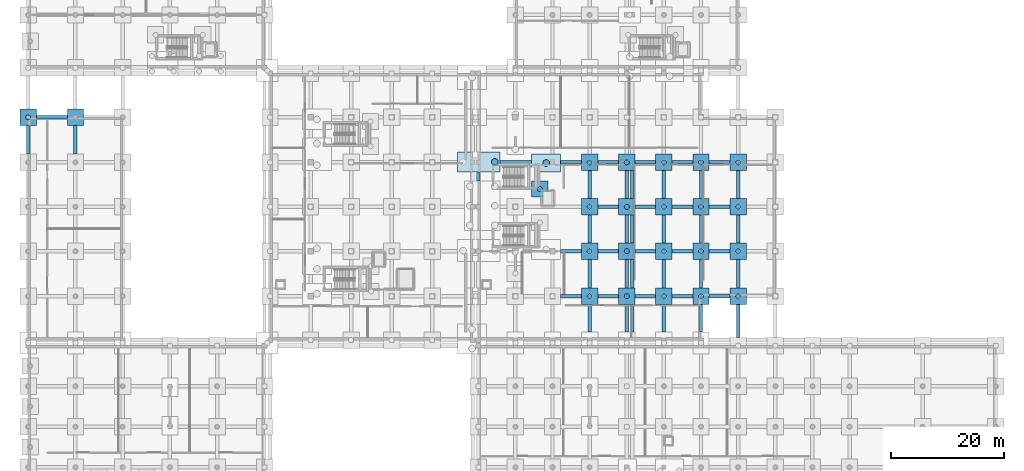
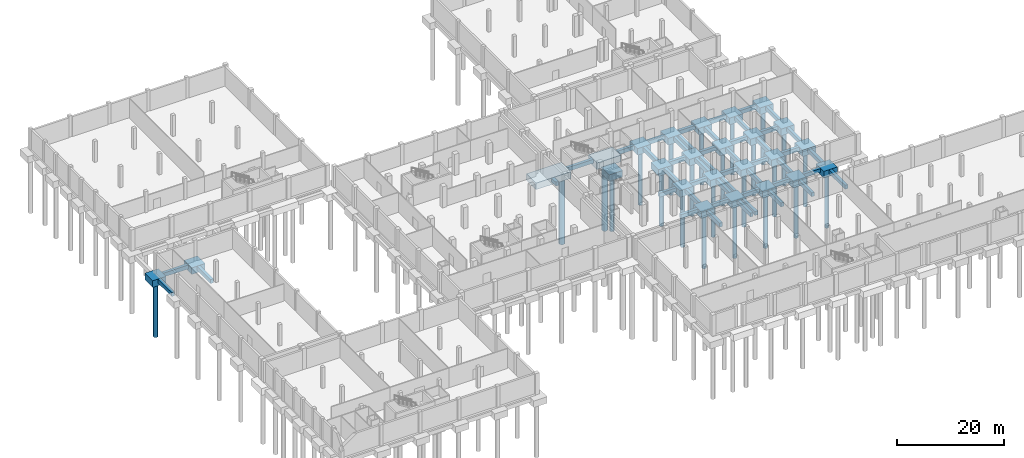
# One storey, part 6 of 29: 73 footings, 24 piles.
"""IFC4 building model written with IfcOpenShell, lengths in metres."""

from ifc_helpers import new_model, si_unit, direction, frame, origin, origin_2d, place, context, subcontext, project, spatial, polyline, rectangle, circle, outline, extrude, material, material_profile, profile_set, type_object, element, save


model = new_model("IFC4")

# Units and contexts
model_context = context("Model", 3, precision=1e-05, world=origin(), true_north=direction((0.0, 1.0)))
body_context = subcontext(model_context, "Body", "Model", "MODEL_VIEW")
ifc_project = project(units=[si_unit("LENGTHUNIT", "METRE"), si_unit("AREAUNIT", "SQUARE_METRE"), si_unit("VOLUMEUNIT", "CUBIC_METRE"), si_unit("PLANEANGLEUNIT", "RADIAN"), si_unit("MASSUNIT", "GRAM", prefix="KILO")], contexts=[model_context])

# Site, building, storey
site_placement = place(None, origin())
site = spatial("IfcSite", under=ifc_project, at=site_placement, CompositionType="ELEMENT")
building_placement = place(site_placement, origin())
building = spatial("IfcBuilding", under=site, at=building_placement, Name="Kelarvand Opera House", CompositionType="ELEMENT")
storey_placement = place(building_placement, frame((0.0, 0.0, -9.60009765625)))
storey = spatial("IfcBuildingStorey", under=building, at=storey_placement, Name="B2", CompositionType="ELEMENT", Elevation=-9.60009765625)

# Piles
ifc_material = material(Name="Concrete C40/50", Category="concrete")
ifc_material_profile_1 = material_profile(ifc_material, circle(Radius=0.60009765625, at=origin_2d()), Name="BP 1200", Category="concrete")
ifc_profile_set_1 = profile_set([ifc_material_profile_1], Name="Concrete C40/50")
pile_type_1 = type_object("IfcPileType", Name="Bored Pile 1200 Concrete C40/50", PredefinedType="BORED", material=ifc_profile_set_1)
for number, where, z_axis, x_axis, name in (
    (1, (91.949951171875, 70.47509765625, -1.7998046875), (0.0, 0.0, -1.0), (1.0, 0.0, 0.0), "V1 Bored Pile 178"),
    (2, (101.074951171875, 70.27490234375, -1.7998046875), (0.0, 0.0, -1.0), (1.0, 0.0, 0.0), "V1 Bored Pile 179"),
):
    element("IfcPile", number, at=place(storey_placement, frame(where, z_axis=z_axis, x_axis=x_axis)), inside=storey, type_object=pile_type_1, Name=name, PredefinedType="BORED", context=body_context, shape_type="SweptSolid", body=[
        extrude(circle(Radius=0.60009765625, at=origin_2d()), origin(), (0.0, 0.0, 1.0), 15.60009765625),
    ])
ifc_material_profile_2 = material_profile(ifc_material, circle(Radius=0.449951171875, at=origin_2d()), Name="BP 900", Category="concrete")
ifc_profile_set_2 = profile_set([ifc_material_profile_2], Name="Concrete C40/50")
pile_type_2 = type_object("IfcPileType", Name="Bored Pile 900 Concrete C40/50", PredefinedType="BORED", material=ifc_profile_set_2)
for number, where, z_axis, x_axis, name in (
    (3, (108.800048828125, 46.60009765625, -1.7998046875), (0.0, 0.0, -1.0), (1.0, 0.0, 0.0), "V1 Bored Pile 126"),
    (4, (115.39990234375, 46.60009765625, -1.7998046875), (0.0, 0.0, -1.0), (1.0, 0.0, 0.0), "V1 Bored Pile 127"),
    (5, (122.0, 46.60009765625, -1.7998046875), (0.0, 0.0, -1.0), (1.0, 0.0, 0.0), "V1 Bored Pile 128"),
    (6, (128.60009765625, 46.60009765625, -1.7998046875), (0.0, 0.0, -1.0), (1.0, 0.0, 0.0), "V1 Bored Pile 129"),
    (7, (135.199951171875, 46.60009765625, -1.7998046875), (0.0, 0.0, -1.0), (1.0, 0.0, 0.0), "V1 Bored Pile 130"),
    (8, (108.800048828125, 54.60009765625, -1.7998046875), (0.0, 0.0, -1.0), (1.0, 0.0, 0.0), "V1 Bored Pile 148"),
    (9, (115.39990234375, 54.60009765625, -1.7998046875), (0.0, 0.0, -1.0), (1.0, 0.0, 0.0), "V1 Bored Pile 149"),
    (10, (122.0, 54.60009765625, -1.7998046875), (0.0, 0.0, -1.0), (1.0, 0.0, 0.0), "V1 Bored Pile 150"),
    (11, (128.60009765625, 54.60009765625, -1.7998046875), (0.0, 0.0, -1.0), (1.0, 0.0, 0.0), "V1 Bored Pile 151"),
    (12, (135.199951171875, 54.60009765625, -1.7998046875), (0.0, 0.0, -1.0), (1.0, 0.0, 0.0), "V1 Bored Pile 152"),
    (13, (108.800048828125, 62.5, -1.7998046875), (0.0, 0.0, -1.0), (1.0, 0.0, 0.0), "V1 Bored Pile 170"),
    (14, (115.39990234375, 62.5, -1.7998046875), (0.0, 0.0, -1.0), (1.0, 0.0, 0.0), "V1 Bored Pile 171"),
    (15, (122.0, 62.5, -1.7998046875), (0.0, 0.0, -1.0), (1.0, 0.0, 0.0), "V1 Bored Pile 172"),
    (16, (128.60009765625, 62.5, -1.7998046875), (0.0, 0.0, -1.0), (1.0, 0.0, 0.0), "V1 Bored Pile 173"),
    (17, (135.199951171875, 62.5, -1.7998046875), (0.0, 0.0, -1.0), (1.0, 0.0, 0.0), "V1 Bored Pile 174"),
    (18, (99.949951171875, 65.64990234375, -1.7998046875), (0.0, 0.0, -1.0), (1.0, 0.0, 0.0), "V1 Bored Pile 176"),
    (19, (108.800048828125, 70.39990234375, -1.7998046875), (0.0, 0.0, -1.0), (1.0, 0.0, 0.0), "V1 Bored Pile 189"),
    (20, (115.39990234375, 70.39990234375, -1.7998046875), (0.0, 0.0, -1.0), (1.0, 0.0, 0.0), "V1 Bored Pile 190"),
    (21, (122.0, 70.39990234375, -1.7998046875), (0.0, 0.0, -1.0), (1.0, 0.0, 0.0), "V1 Bored Pile 191"),
    (22, (128.60009765625, 70.39990234375, -1.7998046875), (0.0, 0.0, -1.0), (1.0, 0.0, 0.0), "V1 Bored Pile 192"),
    (23, (135.199951171875, 70.39990234375, -1.7998046875), (0.0, 0.0, -1.0), (1.0, 0.0, 0.0), "V1 Bored Pile 193"),
    (24, (9.0, 78.39990234375, -1.7998046875), (0.0, 0.0, -1.0), (1.0, 0.0, 0.0), "V4 Bored Pile 200"),
):
    element("IfcPile", number, at=place(storey_placement, frame(where, z_axis=z_axis, x_axis=x_axis)), inside=storey, type_object=pile_type_2, Name=name, PredefinedType="BORED", context=body_context, shape_type="SweptSolid", body=[
        extrude(circle(Radius=0.449951171875, at=origin_2d()), origin(), (0.0, 0.0, 1.0), 12.60009765625),
    ])

# Footings
footing_type_1 = type_object("IfcFootingType", Name="Ground Tie Beam 600x900 Concrete C40/50", PredefinedType="FOOTING_BEAM", material=ifc_material)
footing_1_placement = place(storey_placement, frame((0.0, 0.0, -1.2998046875)))
element("IfcFooting", 25, at=footing_1_placement, inside=storey, type_object=footing_type_1, Name="Ground Beam 121", PredefinedType="FOOTING_BEAM", context=body_context, shape_type="SweptSolid", body=[
    extrude(outline(polyline([(103.64990234375, 46.300048828125), (107.35009765625, 46.300048828125), (107.35009765625, 46.89990234375), (103.64990234375, 46.89990234375), (103.64990234375, 46.300048828125)])), origin(), (0.0, 0.0, 1.0), 0.89990234375),
])
footing_2_placement = place(storey_placement, frame((0.0, 0.0, -1.2998046875)))
element("IfcFooting", 26, at=footing_2_placement, inside=storey, type_object=footing_type_1, Name="Ground Beam 122", PredefinedType="FOOTING_BEAM", context=body_context, shape_type="SweptSolid", body=[
    extrude(outline(polyline([(110.25, 46.300048828125), (113.949951171875, 46.300048828125), (113.949951171875, 46.89990234375), (110.25, 46.89990234375), (110.25, 46.300048828125)])), origin(), (0.0, 0.0, 1.0), 0.89990234375),
])
footing_3_placement = place(storey_placement, frame((0.0, 0.0, -1.2998046875)))
element("IfcFooting", 27, at=footing_3_placement, inside=storey, type_object=footing_type_1, Name="Ground Beam 123", PredefinedType="FOOTING_BEAM", context=body_context, shape_type="SweptSolid", body=[
    extrude(outline(polyline([(116.85009765625, 46.300048828125), (120.550048828125, 46.300048828125), (120.550048828125, 46.89990234375), (116.85009765625, 46.89990234375), (116.85009765625, 46.300048828125)])), origin(), (0.0, 0.0, 1.0), 0.89990234375),
])
footing_4_placement = place(storey_placement, frame((0.0, 0.0, -1.2998046875)))
element("IfcFooting", 28, at=footing_4_placement, inside=storey, type_object=footing_type_1, Name="Ground Beam 124", PredefinedType="FOOTING_BEAM", context=body_context, shape_type="SweptSolid", body=[
    extrude(outline(polyline([(123.449951171875, 46.300048828125), (127.14990234375, 46.300048828125), (127.14990234375, 46.89990234375), (123.449951171875, 46.89990234375), (123.449951171875, 46.300048828125)])), origin(), (0.0, 0.0, 1.0), 0.89990234375),
])
footing_5_placement = place(storey_placement, frame((0.0, 0.0, -1.2998046875)))
element("IfcFooting", 29, at=footing_5_placement, inside=storey, type_object=footing_type_1, Name="Ground Beam 125", PredefinedType="FOOTING_BEAM", context=body_context, shape_type="SweptSolid", body=[
    extrude(outline(polyline([(130.050048828125, 46.300048828125), (133.75, 46.300048828125), (133.75, 46.89990234375), (130.050048828125, 46.89990234375), (130.050048828125, 46.300048828125)])), origin(), (0.0, 0.0, 1.0), 0.89990234375),
])
footing_6_placement = place(storey_placement, frame((0.0, 0.0, -1.2998046875)))
element("IfcFooting", 30, at=footing_6_placement, inside=storey, type_object=footing_type_1, Name="Ground Beam 136", PredefinedType="FOOTING_BEAM", context=body_context, shape_type="SweptSolid", body=[
    extrude(outline(polyline([(103.64990234375, 54.300048828125), (107.35009765625, 54.300048828125), (107.35009765625, 54.89990234375), (103.64990234375, 54.89990234375), (103.64990234375, 54.300048828125)])), origin(), (0.0, 0.0, 1.0), 0.89990234375),
])
footing_7_placement = place(storey_placement, frame((0.0, 0.0, -1.2998046875)))
element("IfcFooting", 31, at=footing_7_placement, inside=storey, type_object=footing_type_1, Name="Ground Beam 137", PredefinedType="FOOTING_BEAM", context=body_context, shape_type="SweptSolid", body=[
    extrude(outline(polyline([(110.25, 54.300048828125), (113.949951171875, 54.300048828125), (113.949951171875, 54.89990234375), (110.25, 54.89990234375), (110.25, 54.300048828125)])), origin(), (0.0, 0.0, 1.0), 0.89990234375),
])
footing_8_placement = place(storey_placement, frame((0.0, 0.0, -1.2998046875)))
element("IfcFooting", 32, at=footing_8_placement, inside=storey, type_object=footing_type_1, Name="Ground Beam 138", PredefinedType="FOOTING_BEAM", context=body_context, shape_type="SweptSolid", body=[
    extrude(outline(polyline([(116.85009765625, 54.300048828125), (120.550048828125, 54.300048828125), (120.550048828125, 54.89990234375), (116.85009765625, 54.89990234375), (116.85009765625, 54.300048828125)])), origin(), (0.0, 0.0, 1.0), 0.89990234375),
])
footing_9_placement = place(storey_placement, frame((0.0, 0.0, -1.2998046875)))
element("IfcFooting", 33, at=footing_9_placement, inside=storey, type_object=footing_type_1, Name="Ground Beam 139", PredefinedType="FOOTING_BEAM", context=body_context, shape_type="SweptSolid", body=[
    extrude(outline(polyline([(123.449951171875, 54.300048828125), (127.14990234375, 54.300048828125), (127.14990234375, 54.89990234375), (123.449951171875, 54.89990234375), (123.449951171875, 54.300048828125)])), origin(), (0.0, 0.0, 1.0), 0.89990234375),
])
footing_10_placement = place(storey_placement, frame((0.0, 0.0, -1.2998046875)))
element("IfcFooting", 34, at=footing_10_placement, inside=storey, type_object=footing_type_1, Name="Ground Beam 140", PredefinedType="FOOTING_BEAM", context=body_context, shape_type="SweptSolid", body=[
    extrude(outline(polyline([(130.050048828125, 54.300048828125), (133.75, 54.300048828125), (133.75, 54.89990234375), (130.050048828125, 54.89990234375), (130.050048828125, 54.300048828125)])), origin(), (0.0, 0.0, 1.0), 0.89990234375),
])
footing_11_placement = place(storey_placement, frame((0.0, 0.0, -1.2998046875)))
element("IfcFooting", 35, at=footing_11_placement, inside=storey, type_object=footing_type_1, Name="Ground Beam 151", PredefinedType="FOOTING_BEAM", context=body_context, shape_type="SweptSolid", body=[
    extrude(outline(polyline([(110.25, 62.199951171875), (113.949951171875, 62.199951171875), (113.949951171875, 62.800048828125), (110.25, 62.800048828125), (110.25, 62.199951171875)])), origin(), (0.0, 0.0, 1.0), 0.89990234375),
])
footing_12_placement = place(storey_placement, frame((0.0, 0.0, -1.2998046875)))
element("IfcFooting", 36, at=footing_12_placement, inside=storey, type_object=footing_type_1, Name="Ground Beam 152", PredefinedType="FOOTING_BEAM", context=body_context, shape_type="SweptSolid", body=[
    extrude(outline(polyline([(116.85009765625, 62.199951171875), (120.550048828125, 62.199951171875), (120.550048828125, 62.800048828125), (116.85009765625, 62.800048828125), (116.85009765625, 62.199951171875)])), origin(), (0.0, 0.0, 1.0), 0.89990234375),
])
footing_13_placement = place(storey_placement, frame((0.0, 0.0, -1.2998046875)))
element("IfcFooting", 37, at=footing_13_placement, inside=storey, type_object=footing_type_1, Name="Ground Beam 153", PredefinedType="FOOTING_BEAM", context=body_context, shape_type="SweptSolid", body=[
    extrude(outline(polyline([(123.449951171875, 62.199951171875), (127.14990234375, 62.199951171875), (127.14990234375, 62.800048828125), (123.449951171875, 62.800048828125), (123.449951171875, 62.199951171875)])), origin(), (0.0, 0.0, 1.0), 0.89990234375),
])
footing_14_placement = place(storey_placement, frame((0.0, 0.0, -1.2998046875)))
element("IfcFooting", 38, at=footing_14_placement, inside=storey, type_object=footing_type_1, Name="Ground Beam 154", PredefinedType="FOOTING_BEAM", context=body_context, shape_type="SweptSolid", body=[
    extrude(outline(polyline([(130.050048828125, 62.199951171875), (133.75, 62.199951171875), (133.75, 62.800048828125), (130.050048828125, 62.800048828125), (130.050048828125, 62.199951171875)])), origin(), (0.0, 0.0, 1.0), 0.89990234375),
])
footing_15_placement = place(storey_placement, frame((0.0, 0.0, -1.2998046875)))
element("IfcFooting", 39, at=footing_15_placement, inside=storey, type_object=footing_type_1, Name="Ground Beam 163", PredefinedType="FOOTING_BEAM", context=body_context, shape_type="SweptSolid", body=[
    extrude(outline(polyline([(92.89990234375, 70.10009765625), (98.5, 70.10009765625), (98.5, 70.699951171875), (92.89990234375, 70.699951171875), (92.89990234375, 70.10009765625)])), origin(), (0.0, 0.0, 1.0), 0.89990234375),
])
footing_16_placement = place(storey_placement, frame((0.0, 0.0, -1.2998046875)))
element("IfcFooting", 40, at=footing_16_placement, inside=storey, type_object=footing_type_1, Name="Ground Beam 164", PredefinedType="FOOTING_BEAM", context=body_context, shape_type="SweptSolid", body=[
    extrude(outline(polyline([(103.64990234375, 70.10009765625), (107.35009765625, 70.10009765625), (107.35009765625, 70.699951171875), (103.64990234375, 70.699951171875), (103.64990234375, 70.10009765625)])), origin(), (0.0, 0.0, 1.0), 0.89990234375),
])
footing_17_placement = place(storey_placement, frame((0.0, 0.0, -1.2998046875)))
element("IfcFooting", 41, at=footing_17_placement, inside=storey, type_object=footing_type_1, Name="Ground Beam 165", PredefinedType="FOOTING_BEAM", context=body_context, shape_type="SweptSolid", body=[
    extrude(outline(polyline([(110.25, 70.10009765625), (113.949951171875, 70.10009765625), (113.949951171875, 70.699951171875), (110.25, 70.699951171875), (110.25, 70.10009765625)])), origin(), (0.0, 0.0, 1.0), 0.89990234375),
])
footing_18_placement = place(storey_placement, frame((0.0, 0.0, -1.2998046875)))
element("IfcFooting", 42, at=footing_18_placement, inside=storey, type_object=footing_type_1, Name="Ground Beam 166", PredefinedType="FOOTING_BEAM", context=body_context, shape_type="SweptSolid", body=[
    extrude(outline(polyline([(116.85009765625, 70.10009765625), (120.550048828125, 70.10009765625), (120.550048828125, 70.699951171875), (116.85009765625, 70.699951171875), (116.85009765625, 70.10009765625)])), origin(), (0.0, 0.0, 1.0), 0.89990234375),
])
footing_19_placement = place(storey_placement, frame((0.0, 0.0, -1.2998046875)))
element("IfcFooting", 43, at=footing_19_placement, inside=storey, type_object=footing_type_1, Name="Ground Beam 167", PredefinedType="FOOTING_BEAM", context=body_context, shape_type="SweptSolid", body=[
    extrude(outline(polyline([(123.449951171875, 70.10009765625), (127.14990234375, 70.10009765625), (127.14990234375, 70.699951171875), (123.449951171875, 70.699951171875), (123.449951171875, 70.10009765625)])), origin(), (0.0, 0.0, 1.0), 0.89990234375),
])
footing_20_placement = place(storey_placement, frame((0.0, 0.0, -1.2998046875)))
element("IfcFooting", 44, at=footing_20_placement, inside=storey, type_object=footing_type_1, Name="Ground Beam 168", PredefinedType="FOOTING_BEAM", context=body_context, shape_type="SweptSolid", body=[
    extrude(outline(polyline([(130.050048828125, 70.10009765625), (133.75, 70.10009765625), (133.75, 70.699951171875), (130.050048828125, 70.699951171875), (130.050048828125, 70.10009765625)])), origin(), (0.0, 0.0, 1.0), 0.89990234375),
])
footing_21_placement = place(storey_placement, frame((0.0, 0.0, -1.2998046875)))
element("IfcFooting", 45, at=footing_21_placement, inside=storey, type_object=footing_type_1, Name="Ground Beam 170", PredefinedType="FOOTING_BEAM", context=body_context, shape_type="SweptSolid", body=[
    extrude(outline(polyline([(10.449951171875, 78.10009765625), (15.949951171875, 78.10009765625), (15.949951171875, 78.699951171875), (10.449951171875, 78.699951171875), (10.449951171875, 78.10009765625)])), origin(), (0.0, 0.0, 1.0), 0.89990234375),
])
footing_22_placement = place(storey_placement, frame((0.0, 0.0, -1.2998046875)))
element("IfcFooting", 46, at=footing_22_placement, inside=storey, type_object=footing_type_1, Name="Ground Beam 267", PredefinedType="FOOTING_BEAM", context=body_context, shape_type="SweptSolid", body=[
    extrude(outline(polyline([(8.699951171875, 71.85009765625), (9.300048828125, 71.85009765625), (9.300048828125, 76.949951171875), (8.699951171875, 76.949951171875), (8.699951171875, 71.85009765625)])), origin(), (0.0, 0.0, 1.0), 0.89990234375),
])
footing_23_placement = place(storey_placement, frame((0.0, 0.0, -1.2998046875)))
element("IfcFooting", 47, at=footing_23_placement, inside=storey, type_object=footing_type_1, Name="Ground Beam 285", PredefinedType="FOOTING_BEAM", context=body_context, shape_type="SweptSolid", body=[
    extrude(outline(polyline([(17.10009765625, 71.85009765625), (17.699951171875, 71.85009765625), (17.699951171875, 76.949951171875), (17.10009765625, 76.949951171875), (17.10009765625, 71.85009765625)])), origin(), (0.0, 0.0, 1.0), 0.89990234375),
])
footing_24_placement = place(storey_placement, frame((0.0, 0.0, -1.2998046875)))
element("IfcFooting", 48, at=footing_24_placement, inside=storey, type_object=footing_type_1, Name="Ground Beam 390", PredefinedType="FOOTING_BEAM", context=body_context, shape_type="SweptSolid", body=[
    extrude(outline(polyline([(88.699951171875, 67.10009765625), (89.300048828125, 67.10009765625), (89.300048828125, 68.699951171875), (88.699951171875, 68.699951171875), (88.699951171875, 67.10009765625)])), origin(), (0.0, 0.0, 1.0), 0.89990234375),
])
footing_25_placement = place(storey_placement, frame((0.0, 0.0, -1.2998046875)))
element("IfcFooting", 49, at=footing_25_placement, inside=storey, type_object=footing_type_1, Name="Ground Beam 421", PredefinedType="FOOTING_BEAM", context=body_context, shape_type="SweptSolid", body=[
    extrude(outline(polyline([(108.5, 40.25), (109.10009765625, 40.25), (109.10009765625, 45.14990234375), (108.5, 45.14990234375), (108.5, 40.25)])), origin(), (0.0, 0.0, 1.0), 0.89990234375),
])
footing_26_placement = place(storey_placement, frame((0.0, 0.0, -1.2998046875)))
element("IfcFooting", 50, at=footing_26_placement, inside=storey, type_object=footing_type_1, Name="Ground Beam 422", PredefinedType="FOOTING_BEAM", context=body_context, shape_type="SweptSolid", body=[
    extrude(outline(polyline([(108.5, 48.050048828125), (109.10009765625, 48.050048828125), (109.10009765625, 53.14990234375), (108.5, 53.14990234375), (108.5, 48.050048828125)])), origin(), (0.0, 0.0, 1.0), 0.89990234375),
])
footing_27_placement = place(storey_placement, frame((0.0, 0.0, -1.2998046875)))
element("IfcFooting", 51, at=footing_27_placement, inside=storey, type_object=footing_type_1, Name="Ground Beam 423", PredefinedType="FOOTING_BEAM", context=body_context, shape_type="SweptSolid", body=[
    extrude(outline(polyline([(108.5, 56.050048828125), (109.10009765625, 56.050048828125), (109.10009765625, 61.050048828125), (108.5, 61.050048828125), (108.5, 56.050048828125)])), origin(), (0.0, 0.0, 1.0), 0.89990234375),
])
footing_28_placement = place(storey_placement, frame((0.0, 0.0, -1.2998046875)))
element("IfcFooting", 52, at=footing_28_placement, inside=storey, type_object=footing_type_1, Name="Ground Beam 424", PredefinedType="FOOTING_BEAM", context=body_context, shape_type="SweptSolid", body=[
    extrude(outline(polyline([(108.5, 63.949951171875), (109.10009765625, 63.949951171875), (109.10009765625, 68.949951171875), (108.5, 68.949951171875), (108.5, 63.949951171875)])), origin(), (0.0, 0.0, 1.0), 0.89990234375),
])
footing_29_placement = place(storey_placement, frame((0.0, 0.0, -1.2998046875)))
element("IfcFooting", 53, at=footing_29_placement, inside=storey, type_object=footing_type_1, Name="Ground Beam 435", PredefinedType="FOOTING_BEAM", context=body_context, shape_type="SweptSolid", body=[
    extrude(outline(polyline([(115.10009765625, 40.25), (115.699951171875, 40.25), (115.699951171875, 45.14990234375), (115.10009765625, 45.14990234375), (115.10009765625, 40.25)])), origin(), (0.0, 0.0, 1.0), 0.89990234375),
])
footing_30_placement = place(storey_placement, frame((0.0, 0.0, -1.2998046875)))
element("IfcFooting", 54, at=footing_30_placement, inside=storey, type_object=footing_type_1, Name="Ground Beam 436", PredefinedType="FOOTING_BEAM", context=body_context, shape_type="SweptSolid", body=[
    extrude(outline(polyline([(115.10009765625, 48.050048828125), (115.699951171875, 48.050048828125), (115.699951171875, 53.14990234375), (115.10009765625, 53.14990234375), (115.10009765625, 48.050048828125)])), origin(), (0.0, 0.0, 1.0), 0.89990234375),
])
footing_31_placement = place(storey_placement, frame((0.0, 0.0, -1.2998046875)))
element("IfcFooting", 55, at=footing_31_placement, inside=storey, type_object=footing_type_1, Name="Ground Beam 437", PredefinedType="FOOTING_BEAM", context=body_context, shape_type="SweptSolid", body=[
    extrude(outline(polyline([(115.10009765625, 56.050048828125), (115.699951171875, 56.050048828125), (115.699951171875, 61.050048828125), (115.10009765625, 61.050048828125), (115.10009765625, 56.050048828125)])), origin(), (0.0, 0.0, 1.0), 0.89990234375),
])
footing_32_placement = place(storey_placement, frame((0.0, 0.0, -1.2998046875)))
element("IfcFooting", 56, at=footing_32_placement, inside=storey, type_object=footing_type_1, Name="Ground Beam 438", PredefinedType="FOOTING_BEAM", context=body_context, shape_type="SweptSolid", body=[
    extrude(outline(polyline([(115.10009765625, 63.949951171875), (115.699951171875, 63.949951171875), (115.699951171875, 68.949951171875), (115.10009765625, 68.949951171875), (115.10009765625, 63.949951171875)])), origin(), (0.0, 0.0, 1.0), 0.89990234375),
])
footing_33_placement = place(storey_placement, frame((0.0, 0.0, -1.2998046875)))
element("IfcFooting", 57, at=footing_33_placement, inside=storey, type_object=footing_type_1, Name="Ground Beam 449", PredefinedType="FOOTING_BEAM", context=body_context, shape_type="SweptSolid", body=[
    extrude(outline(polyline([(116.10009765625, 40.25), (116.699951171875, 40.25), (116.699951171875, 45.14990234375), (116.10009765625, 45.14990234375), (116.10009765625, 40.25)])), origin(), (0.0, 0.0, 1.0), 0.89990234375),
])
footing_34_placement = place(storey_placement, frame((0.0, 0.0, -1.2998046875)))
element("IfcFooting", 58, at=footing_34_placement, inside=storey, type_object=footing_type_1, Name="Ground Beam 450", PredefinedType="FOOTING_BEAM", context=body_context, shape_type="SweptSolid", body=[
    extrude(outline(polyline([(116.10009765625, 48.050048828125), (116.699951171875, 48.050048828125), (116.699951171875, 53.14990234375), (116.10009765625, 53.14990234375), (116.10009765625, 48.050048828125)])), origin(), (0.0, 0.0, 1.0), 0.89990234375),
])
footing_35_placement = place(storey_placement, frame((0.0, 0.0, -1.2998046875)))
element("IfcFooting", 59, at=footing_35_placement, inside=storey, type_object=footing_type_1, Name="Ground Beam 451", PredefinedType="FOOTING_BEAM", context=body_context, shape_type="SweptSolid", body=[
    extrude(outline(polyline([(116.10009765625, 56.050048828125), (116.699951171875, 56.050048828125), (116.699951171875, 61.050048828125), (116.10009765625, 61.050048828125), (116.10009765625, 56.050048828125)])), origin(), (0.0, 0.0, 1.0), 0.89990234375),
])
footing_36_placement = place(storey_placement, frame((0.0, 0.0, -1.2998046875)))
element("IfcFooting", 60, at=footing_36_placement, inside=storey, type_object=footing_type_1, Name="Ground Beam 452", PredefinedType="FOOTING_BEAM", context=body_context, shape_type="SweptSolid", body=[
    extrude(outline(polyline([(116.10009765625, 63.949951171875), (116.699951171875, 63.949951171875), (116.699951171875, 68.949951171875), (116.10009765625, 68.949951171875), (116.10009765625, 63.949951171875)])), origin(), (0.0, 0.0, 1.0), 0.89990234375),
])
footing_37_placement = place(storey_placement, frame((0.0, 0.0, -1.2998046875)))
element("IfcFooting", 61, at=footing_37_placement, inside=storey, type_object=footing_type_1, Name="Ground Beam 463", PredefinedType="FOOTING_BEAM", context=body_context, shape_type="SweptSolid", body=[
    extrude(outline(polyline([(121.699951171875, 40.25), (122.300048828125, 40.25), (122.300048828125, 45.14990234375), (121.699951171875, 45.14990234375), (121.699951171875, 40.25)])), origin(), (0.0, 0.0, 1.0), 0.89990234375),
])
footing_38_placement = place(storey_placement, frame((0.0, 0.0, -1.2998046875)))
element("IfcFooting", 62, at=footing_38_placement, inside=storey, type_object=footing_type_1, Name="Ground Beam 464", PredefinedType="FOOTING_BEAM", context=body_context, shape_type="SweptSolid", body=[
    extrude(outline(polyline([(121.699951171875, 48.050048828125), (122.300048828125, 48.050048828125), (122.300048828125, 53.14990234375), (121.699951171875, 53.14990234375), (121.699951171875, 48.050048828125)])), origin(), (0.0, 0.0, 1.0), 0.89990234375),
])
footing_39_placement = place(storey_placement, frame((0.0, 0.0, -1.2998046875)))
element("IfcFooting", 63, at=footing_39_placement, inside=storey, type_object=footing_type_1, Name="Ground Beam 465", PredefinedType="FOOTING_BEAM", context=body_context, shape_type="SweptSolid", body=[
    extrude(outline(polyline([(121.699951171875, 56.050048828125), (122.300048828125, 56.050048828125), (122.300048828125, 61.050048828125), (121.699951171875, 61.050048828125), (121.699951171875, 56.050048828125)])), origin(), (0.0, 0.0, 1.0), 0.89990234375),
])
footing_40_placement = place(storey_placement, frame((0.0, 0.0, -1.2998046875)))
element("IfcFooting", 64, at=footing_40_placement, inside=storey, type_object=footing_type_1, Name="Ground Beam 466", PredefinedType="FOOTING_BEAM", context=body_context, shape_type="SweptSolid", body=[
    extrude(outline(polyline([(121.699951171875, 63.949951171875), (122.300048828125, 63.949951171875), (122.300048828125, 68.949951171875), (121.699951171875, 68.949951171875), (121.699951171875, 63.949951171875)])), origin(), (0.0, 0.0, 1.0), 0.89990234375),
])
footing_41_placement = place(storey_placement, frame((0.0, 0.0, -1.2998046875)))
element("IfcFooting", 65, at=footing_41_placement, inside=storey, type_object=footing_type_1, Name="Ground Beam 477", PredefinedType="FOOTING_BEAM", context=body_context, shape_type="SweptSolid", body=[
    extrude(outline(polyline([(128.300048828125, 40.25), (128.89990234375, 40.25), (128.89990234375, 45.14990234375), (128.300048828125, 45.14990234375), (128.300048828125, 40.25)])), origin(), (0.0, 0.0, 1.0), 0.89990234375),
])
footing_42_placement = place(storey_placement, frame((0.0, 0.0, -1.2998046875)))
element("IfcFooting", 66, at=footing_42_placement, inside=storey, type_object=footing_type_1, Name="Ground Beam 478", PredefinedType="FOOTING_BEAM", context=body_context, shape_type="SweptSolid", body=[
    extrude(outline(polyline([(128.300048828125, 48.050048828125), (128.89990234375, 48.050048828125), (128.89990234375, 53.14990234375), (128.300048828125, 53.14990234375), (128.300048828125, 48.050048828125)])), origin(), (0.0, 0.0, 1.0), 0.89990234375),
])
footing_43_placement = place(storey_placement, frame((0.0, 0.0, -1.2998046875)))
element("IfcFooting", 67, at=footing_43_placement, inside=storey, type_object=footing_type_1, Name="Ground Beam 479", PredefinedType="FOOTING_BEAM", context=body_context, shape_type="SweptSolid", body=[
    extrude(outline(polyline([(128.300048828125, 56.050048828125), (128.89990234375, 56.050048828125), (128.89990234375, 61.050048828125), (128.300048828125, 61.050048828125), (128.300048828125, 56.050048828125)])), origin(), (0.0, 0.0, 1.0), 0.89990234375),
])
footing_44_placement = place(storey_placement, frame((0.0, 0.0, -1.2998046875)))
element("IfcFooting", 68, at=footing_44_placement, inside=storey, type_object=footing_type_1, Name="Ground Beam 480", PredefinedType="FOOTING_BEAM", context=body_context, shape_type="SweptSolid", body=[
    extrude(outline(polyline([(128.300048828125, 63.949951171875), (128.89990234375, 63.949951171875), (128.89990234375, 68.949951171875), (128.300048828125, 68.949951171875), (128.300048828125, 63.949951171875)])), origin(), (0.0, 0.0, 1.0), 0.89990234375),
])
footing_45_placement = place(storey_placement, frame((0.0, 0.0, -1.2998046875)))
element("IfcFooting", 69, at=footing_45_placement, inside=storey, type_object=footing_type_1, Name="Ground Beam 491", PredefinedType="FOOTING_BEAM", context=body_context, shape_type="SweptSolid", body=[
    extrude(outline(polyline([(134.89990234375, 39.25), (135.5, 39.25), (135.5, 45.14990234375), (134.89990234375, 45.14990234375), (134.89990234375, 39.25)])), origin(), (0.0, 0.0, 1.0), 0.89990234375),
])
footing_46_placement = place(storey_placement, frame((0.0, 0.0, -1.2998046875)))
element("IfcFooting", 70, at=footing_46_placement, inside=storey, type_object=footing_type_1, Name="Ground Beam 492", PredefinedType="FOOTING_BEAM", context=body_context, shape_type="SweptSolid", body=[
    extrude(outline(polyline([(134.89990234375, 48.050048828125), (135.5, 48.050048828125), (135.5, 53.14990234375), (134.89990234375, 53.14990234375), (134.89990234375, 48.050048828125)])), origin(), (0.0, 0.0, 1.0), 0.89990234375),
])
footing_47_placement = place(storey_placement, frame((0.0, 0.0, -1.2998046875)))
element("IfcFooting", 71, at=footing_47_placement, inside=storey, type_object=footing_type_1, Name="Ground Beam 493", PredefinedType="FOOTING_BEAM", context=body_context, shape_type="SweptSolid", body=[
    extrude(outline(polyline([(134.89990234375, 56.050048828125), (135.5, 56.050048828125), (135.5, 61.050048828125), (134.89990234375, 61.050048828125), (134.89990234375, 56.050048828125)])), origin(), (0.0, 0.0, 1.0), 0.89990234375),
])
footing_48_placement = place(storey_placement, frame((0.0, 0.0, -1.2998046875)))
element("IfcFooting", 72, at=footing_48_placement, inside=storey, type_object=footing_type_1, Name="Ground Beam 494", PredefinedType="FOOTING_BEAM", context=body_context, shape_type="SweptSolid", body=[
    extrude(outline(polyline([(134.89990234375, 63.949951171875), (135.5, 63.949951171875), (135.5, 68.949951171875), (134.89990234375, 68.949951171875), (134.89990234375, 63.949951171875)])), origin(), (0.0, 0.0, 1.0), 0.89990234375),
])
footing_type_2 = type_object("IfcFootingType", Name="Pile Cap 2900x2900x1500 PC-01", PredefinedType="PILE_CAP", material=ifc_material)
for number, where, z_axis, x_axis, name in (
    (73, (108.800048828125, 46.60009765625, -1.89990234375), (0.0, 0.0, 1.0), (1.0, 0.0, 0.0), "V1 Pile Cap PC-01 (119)"),
    (74, (115.39990234375, 46.60009765625, -1.89990234375), (0.0, 0.0, 1.0), (1.0, 0.0, 0.0), "V1 Pile Cap PC-01 (120)"),
    (75, (122.0, 46.60009765625, -1.89990234375), (0.0, 0.0, 1.0), (1.0, 0.0, 0.0), "V1 Pile Cap PC-01 (121)"),
    (76, (128.60009765625, 46.60009765625, -1.89990234375), (0.0, 0.0, 1.0), (1.0, 0.0, 0.0), "V1 Pile Cap PC-01 (122)"),
    (77, (135.199951171875, 46.60009765625, -1.89990234375), (0.0, 0.0, 1.0), (1.0, 0.0, 0.0), "V1 Pile Cap PC-01 (123)"),
    (78, (108.800048828125, 54.60009765625, -1.89990234375), (0.0, 0.0, 1.0), (1.0, 0.0, 0.0), "V1 Pile Cap PC-01 (139)"),
    (79, (115.39990234375, 54.60009765625, -1.89990234375), (0.0, 0.0, 1.0), (1.0, 0.0, 0.0), "V1 Pile Cap PC-01 (140)"),
    (80, (122.0, 54.60009765625, -1.89990234375), (0.0, 0.0, 1.0), (1.0, 0.0, 0.0), "V1 Pile Cap PC-01 (141)"),
    (81, (128.60009765625, 54.60009765625, -1.89990234375), (0.0, 0.0, 1.0), (1.0, 0.0, 0.0), "V1 Pile Cap PC-01 (142)"),
    (82, (135.199951171875, 54.60009765625, -1.89990234375), (0.0, 0.0, 1.0), (1.0, 0.0, 0.0), "V1 Pile Cap PC-01 (143)"),
    (83, (108.800048828125, 62.5, -1.89990234375), (0.0, 0.0, 1.0), (1.0, 0.0, 0.0), "V1 Pile Cap PC-01 (156)"),
    (84, (115.39990234375, 62.5, -1.89990234375), (0.0, 0.0, 1.0), (1.0, 0.0, 0.0), "V1 Pile Cap PC-01 (157)"),
    (85, (122.0, 62.5, -1.89990234375), (0.0, 0.0, 1.0), (1.0, 0.0, 0.0), "V1 Pile Cap PC-01 (158)"),
    (86, (128.60009765625, 62.5, -1.89990234375), (0.0, 0.0, 1.0), (1.0, 0.0, 0.0), "V1 Pile Cap PC-01 (159)"),
    (87, (135.199951171875, 62.5, -1.89990234375), (0.0, 0.0, 1.0), (1.0, 0.0, 0.0), "V1 Pile Cap PC-01 (160)"),
    (88, (99.949951171875, 65.64990234375, -1.89990234375), (0.0, 0.0, 1.0), (1.0, 0.0, 0.0), "V1 Pile Cap PC-01 (162)"),
    (89, (108.800048828125, 70.39990234375, -1.89990234375), (0.0, 0.0, 1.0), (1.0, 0.0, 0.0), "V1 Pile Cap PC-01 (173)"),
    (90, (115.39990234375, 70.39990234375, -1.89990234375), (0.0, 0.0, 1.0), (1.0, 0.0, 0.0), "V1 Pile Cap PC-01 (174)"),
    (91, (122.0, 70.39990234375, -1.89990234375), (0.0, 0.0, 1.0), (1.0, 0.0, 0.0), "V1 Pile Cap PC-01 (175)"),
    (92, (128.60009765625, 70.39990234375, -1.89990234375), (0.0, 0.0, 1.0), (1.0, 0.0, 0.0), "V1 Pile Cap PC-01 (176)"),
    (93, (135.199951171875, 70.39990234375, -1.89990234375), (0.0, 0.0, 1.0), (1.0, 0.0, 0.0), "V1 Pile Cap PC-01 (177)"),
    (94, (9.0, 78.39990234375, -1.89990234375), (0.0, 0.0, 1.0), (1.0, 0.0, 0.0), "V4 Pile Cap PC-01 (183)"),
    (95, (17.39990234375, 78.39990234375, -1.89990234375), (0.0, 0.0, 1.0), (1.0, 0.0, 0.0), "V4 Pile Cap PC-01 (184)"),
):
    element("IfcFooting", number, at=place(storey_placement, frame(where, z_axis=z_axis, x_axis=x_axis)), inside=storey, type_object=footing_type_2, Name=name, PredefinedType="PILE_CAP", context=body_context, shape_type="SweptSolid", body=[
        extrude(rectangle(XDim=2.89990234375, YDim=2.89990234375, at=origin_2d()), origin(), (0.0, 0.0, 1.0), 1.5),
    ])
footing_type_3 = type_object("IfcFootingType", Name="Pile Cap 5150x3150x1500 PC-21", PredefinedType="PILE_CAP", material=ifc_material)
footing_49_placement = place(storey_placement, frame((101.074951171875, 70.27490234375, -1.89990234375), z_axis=(0.0, 0.0, 1.0), x_axis=(1.0, 0.0, 0.0)))
element("IfcFooting", 96, at=footing_49_placement, inside=storey, type_object=footing_type_3, Name="V1 Pile Cap PC-21 (164)", PredefinedType="PILE_CAP", context=body_context, shape_type="SweptSolid", body=[
    extrude(rectangle(XDim=5.14990234375, YDim=3.14990234375, at=origin_2d()), origin(), (0.0, 0.0, 1.0), 1.5),
])
footing_type_4 = type_object("IfcFootingType", Name="Pile Cap 7550x3550x1500 PC-20", PredefinedType="PILE_CAP", material=ifc_material)
footing_50_placement = place(storey_placement, frame((89.125, 70.47509765625, -1.89990234375), z_axis=(0.0, 0.0, 1.0), x_axis=(1.0, 0.0, 0.0)))
element("IfcFooting", 97, at=footing_50_placement, inside=storey, type_object=footing_type_4, Name="V1 Pile Cap PC-20 (163)", PredefinedType="PILE_CAP", context=body_context, shape_type="SweptSolid", body=[
    extrude(rectangle(XDim=7.550048828125, YDim=3.550048828125, at=origin_2d()), origin(), (0.0, 0.0, 1.0), 1.5),
])

save(model, "model.ifc")
